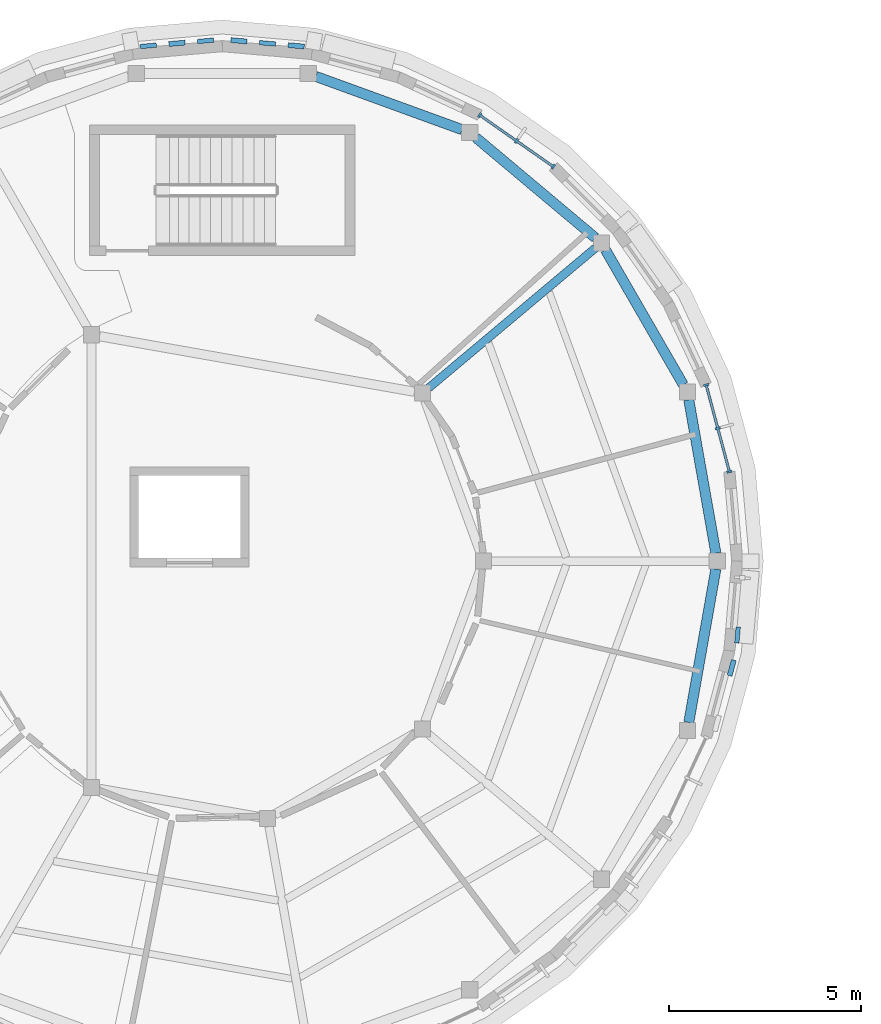
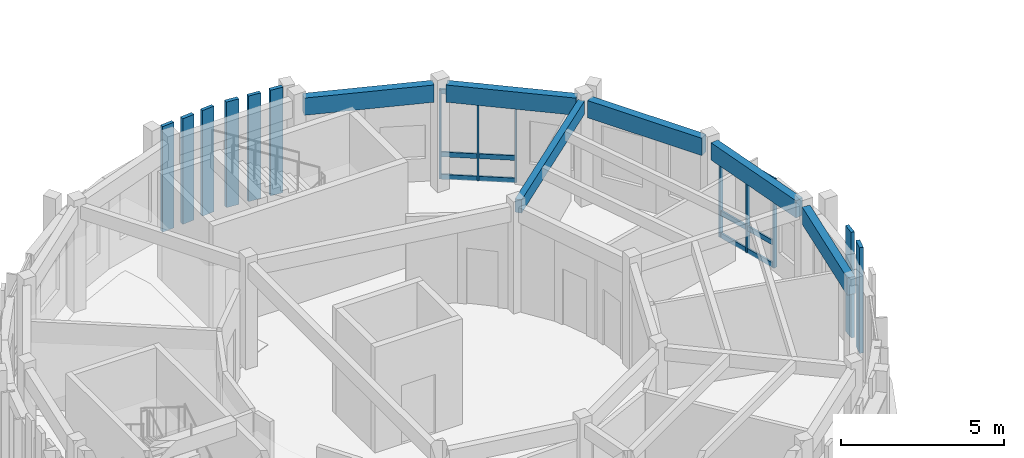
# One storey, part 21 of 80: 20 members, 6 beams, 2 elements without a shape of their own.
"""IFC4 building model written with IfcOpenShell, lengths in metres."""

from ifc_helpers import new_model, si_unit, direction, frame, origin, origin_2d, place, context, subcontext, project, spatial, rectangle, extrude, material, layer, layer_set, material_profile, profile_set, type_object, element, aggregate, save


model = new_model("IFC4")

# Units and contexts
model_context = context("Model", 3, precision=1e-05, world=origin(), true_north=direction((0.0, 1.0)))
body_context = subcontext(model_context, "Body", "Model", "MODEL_VIEW")
ifc_project = project(units=[si_unit("LENGTHUNIT", "METRE"), si_unit("AREAUNIT", "SQUARE_METRE"), si_unit("VOLUMEUNIT", "CUBIC_METRE"), si_unit("PLANEANGLEUNIT", "RADIAN"), si_unit("MASSUNIT", "GRAM", prefix="KILO")], contexts=[model_context])

# Site, building, storey
site_placement = place(None, origin())
site = spatial("IfcSite", under=ifc_project, at=site_placement, CompositionType="ELEMENT")
building_placement = place(site_placement, origin())
building = spatial("IfcBuilding", under=site, at=building_placement, Name="Aldenvaro Health Centre", CompositionType="ELEMENT")
storey_placement = place(building_placement, frame((0.0, 0.0, 4.550048828125)))
storey = spatial("IfcBuildingStorey", under=building, at=storey_placement, Name="L01", CompositionType="ELEMENT", Elevation=4.550048828125)

# Beams
ifc_material_1 = material(Name="Glulam GL28h", Category="wood")
ifc_material_profile_1 = material_profile(ifc_material_1, rectangle(XDim=0.215087890625, YDim=0.493896484375, at=origin_2d()), Name="GL 215x494", Category="wood")
ifc_profile_set_1 = profile_set([ifc_material_profile_1], Name="Glulam GL28h")
beam_type_1 = type_object("IfcBeamType", Name="BM-GL-494", PredefinedType="BEAM", material=ifc_profile_set_1)
beam_1_placement = place(storey_placement, frame((23.8701171875, 104.006103515625, 3.7080078125), z_axis=(0.76607437865, 0.642751932222, 0.0), x_axis=(-0.642751932222, 0.76607437865, 0.0)))
element("IfcBeam", 1, at=beam_1_placement, inside=storey, type_object=beam_type_1, Name="D4 L01 radial beam 02", PredefinedType="BEAM", context=body_context, shape_type="SweptSolid", body=[
    extrude(rectangle(XDim=0.215087890625, YDim=0.493896484375, at=origin_2d()), origin(), (0.0, 0.0, 1.0), 5.659912109375),
])
ifc_material_profile_2 = material_profile(ifc_material_1, rectangle(XDim=0.264892578125, YDim=0.64599609375, at=origin_2d()), Name="GL 265x646", Category="wood")
ifc_profile_set_2 = profile_set([ifc_material_profile_2], Name="Glulam GL28h")
beam_type_2 = type_object("IfcBeamType", Name="BM-GL-646", PredefinedType="SPANDREL", material=ifc_profile_set_2)
for number, where, z_axis, x_axis, name in (
    (2, (31.343994140625, 99.70703125, 3.6318359375), (-0.173974340087, 0.984750186083, 0.0), (-0.984750186083, -0.173974340087, 0.0), "D4 L01 perimeter spandrel 01"),
    (3, (30.498046875, 104.0869140625, 3.6318359375), (-0.499929300108, 0.866066218539, 0.0), (-0.866066218539, -0.499929300108, 0.0), "D4 L01 perimeter spandrel 02"),
):
    element("IfcBeam", number, at=place(storey_placement, frame(where, z_axis=z_axis, x_axis=x_axis)), inside=storey, type_object=beam_type_2, Name=name, PredefinedType="SPANDREL", context=body_context, shape_type="SweptSolid", body=[
        extrude(rectangle(XDim=0.264892578125, YDim=0.64599609375, at=origin_2d()), origin(), (0.0, 0.0, 1.0), 4.052734375),
    ])
beam_2_placement = place(storey_placement, frame((28.2060546875, 107.9140625, 3.6318359375), z_axis=(-0.766093948171, 0.642728607248, 0.0), x_axis=(-0.642728607248, -0.766093948171, 0.0)))
element("IfcBeam", 4, at=beam_2_placement, inside=storey, type_object=beam_type_2, Name="D4 L01 perimeter spandrel 03", PredefinedType="SPANDREL", context=body_context, shape_type="SweptSolid", body=[
    extrude(rectangle(XDim=0.264892578125, YDim=0.64599609375, at=origin_2d()), origin(), (0.0, 0.0, 1.0), 4.052978515625),
])
beam_3_placement = place(storey_placement, frame((24.742919921875, 110.72607421875, 3.6318359375), z_axis=(-0.939717777656, 0.341951017483, 0.0), x_axis=(-0.341951017483, -0.939717777656, 0.0)))
element("IfcBeam", 5, at=beam_3_placement, inside=storey, type_object=beam_type_2, Name="D4 L01 perimeter spandrel 04", PredefinedType="SPANDREL", context=body_context, shape_type="SweptSolid", body=[
    extrude(rectangle(XDim=0.264892578125, YDim=0.64599609375, at=origin_2d()), origin(), (0.0, 0.0, 1.0), 4.05322265625),
])
beam_4_placement = place(storey_placement, frame((30.638916015625, 95.302001953125, 3.6318359375), z_axis=(0.173974340087, 0.984750186083, 0.0), x_axis=(-0.984750186083, 0.173974340087, 0.0)))
element("IfcBeam", 6, at=beam_4_placement, inside=storey, type_object=beam_type_2, Name="D4 L01 perimeter spandrel 18", PredefinedType="SPANDREL", context=body_context, shape_type="SweptSolid", body=[
    extrude(rectangle(XDim=0.264892578125, YDim=0.64599609375, at=origin_2d()), origin(), (0.0, 0.0, 1.0), 4.052734375),
])

# Curtain wall, members
ifc_material_2 = material(Name="Anodised Aluminium 6063-T6", Category="aluminium")
ifc_layer = layer(ifc_material_2, 0.195068359375, Name="Anodised Aluminium 6063-T6", Category="aluminium")
ifc_layer_set = layer_set([ifc_layer], Name="Anodised Aluminium 6063-T6")
curtain_wall_type = type_object("IfcCurtainWallType", Name="CW-CLN-02", PredefinedType="NOTDEFINED", material=ifc_layer_set)
curtain_wall_1_placement = place(storey_placement, origin())
curtain_wall_1 = element("IfcCurtainWall", 7, at=curtain_wall_1_placement, inside=storey, type_object=curtain_wall_type, Name="D4 L01 curtain wall bay 31", PredefinedType="NOTDEFINED")
ifc_material_profile_3 = material_profile(ifc_material_2, rectangle(XDim=0.06005859375, YDim=0.135009765625, at=origin_2d()), Name="ALU 60x135", Category="aluminium")
ifc_profile_set_3 = profile_set([ifc_material_profile_3], Name="Anodised Aluminium 6063-T6")
member_type_1 = type_object("IfcMemberType", Name="CWM-150", PredefinedType="MULLION", material=ifc_profile_set_3)
member_1_placement = place(storey_placement, frame((25.199951171875, 111.10498046875, 0.0), z_axis=(0.0, 0.0, 1.0), x_axis=(0.819050849853, -0.573720929857, 0.0)))
member_1 = element("IfcMember", 8, at=member_1_placement, type_object=member_type_1, Name="D4 L01 curtain wall bay 31 mullion 1", PredefinedType="MULLION", context=body_context, shape_type="SweptSolid", body=[
    extrude(rectangle(XDim=0.06005859375, YDim=0.135009765625, at=origin_2d()), origin(), (0.0, 0.0, 1.0), 3.308837890625),
])
member_2_placement = place(storey_placement, frame((26.156982421875, 110.43505859375, 0.0), z_axis=(0.0, 0.0, 1.0), x_axis=(0.819050849853, -0.573720929857, 0.0)))
member_2 = element("IfcMember", 9, at=member_2_placement, type_object=member_type_1, Name="D4 L01 curtain wall bay 31 mullion 2", PredefinedType="MULLION", context=body_context, shape_type="SweptSolid", body=[
    extrude(rectangle(XDim=0.06005859375, YDim=0.135009765625, at=origin_2d()), origin(), (0.0, 0.0, 1.0), 3.308837890625),
])
member_3_placement = place(storey_placement, frame((27.113037109375, 109.764892578125, 0.0), z_axis=(0.0, 0.0, 1.0), x_axis=(0.819050849853, -0.573720929857, 0.0)))
member_3 = element("IfcMember", 10, at=member_3_placement, type_object=member_type_1, Name="D4 L01 curtain wall bay 31 mullion 3", PredefinedType="MULLION", context=body_context, shape_type="SweptSolid", body=[
    extrude(rectangle(XDim=0.06005859375, YDim=0.135009765625, at=origin_2d()), origin(), (0.0, 0.0, 1.0), 3.308837890625),
])

curtain_wall_2_placement = place(storey_placement, origin())
curtain_wall_2 = element("IfcCurtainWall", 11, at=curtain_wall_2_placement, inside=storey, type_object=curtain_wall_type, Name="D4 L01 curtain wall bay 35", PredefinedType="NOTDEFINED")
member_4_placement = place(storey_placement, frame((31.092041015625, 104.0830078125, 0.0), z_axis=(0.0, 0.0, 1.0), x_axis=(0.258621935517, -0.965978620089, 0.0)))
member_4 = element("IfcMember", 12, at=member_4_placement, type_object=member_type_1, Name="D4 L01 curtain wall bay 35 mullion 1", PredefinedType="MULLION", context=body_context, shape_type="SweptSolid", body=[
    extrude(rectangle(XDim=0.06005859375, YDim=0.135009765625, at=origin_2d()), origin(), (0.0, 0.0, 1.0), 3.308837890625),
])
member_5_placement = place(storey_placement, frame((31.39404296875, 102.955078125, 0.0), z_axis=(0.0, 0.0, 1.0), x_axis=(0.258621935517, -0.965978620089, 0.0)))
member_5 = element("IfcMember", 13, at=member_5_placement, type_object=member_type_1, Name="D4 L01 curtain wall bay 35 mullion 2", PredefinedType="MULLION", context=body_context, shape_type="SweptSolid", body=[
    extrude(rectangle(XDim=0.06005859375, YDim=0.135009765625, at=origin_2d()), origin(), (0.0, 0.0, 1.0), 3.308837890625),
])
member_6_placement = place(storey_placement, frame((31.696044921875, 101.826904296875, 0.0), z_axis=(0.0, 0.0, 1.0), x_axis=(0.258621935517, -0.965978620089, 0.0)))
member_6 = element("IfcMember", 14, at=member_6_placement, type_object=member_type_1, Name="D4 L01 curtain wall bay 35 mullion 3", PredefinedType="MULLION", context=body_context, shape_type="SweptSolid", body=[
    extrude(rectangle(XDim=0.06005859375, YDim=0.135009765625, at=origin_2d()), origin(), (0.0, 0.0, 1.0), 3.308837890625),
])

# Member
ifc_material_profile_4 = material_profile(ifc_material_2, rectangle(XDim=0.06494140625, YDim=0.179931640625, at=origin_2d()), Name="ALU 65x180", Category="aluminium")
ifc_profile_set_4 = profile_set([ifc_material_profile_4], Name="Anodised Aluminium 6063-T6")
member_type_2 = type_object("IfcMemberType", Name="CWT-150", PredefinedType="USERDEFINED", material=ifc_profile_set_4)
member_7_placement = place(storey_placement, frame((25.199951171875, 111.10498046875, 0.06005859375), z_axis=(0.819045278347, -0.573728883722, 0.0), x_axis=(0.573728883722, 0.819045278347, 0.0)))
member_7 = element("IfcMember", 15, at=member_7_placement, type_object=member_type_2, Name="D4 L01 curtain wall bay 31 transom 1", ObjectType="TRANSOM", PredefinedType="USERDEFINED", context=body_context, shape_type="SweptSolid", body=[
    extrude(rectangle(XDim=0.06494140625, YDim=0.179931640625, at=origin_2d()), origin(), (0.0, 0.0, 1.0), 2.335693359375),
])

member_8_placement = place(storey_placement, frame((25.199951171875, 111.10498046875, 0.89990234375), z_axis=(0.819045278347, -0.573728883722, 0.0), x_axis=(0.573728883722, 0.819045278347, 0.0)))
member_8 = element("IfcMember", 16, at=member_8_placement, type_object=member_type_2, Name="D4 L01 curtain wall bay 31 transom 2", ObjectType="TRANSOM", PredefinedType="USERDEFINED", context=body_context, shape_type="SweptSolid", body=[
    extrude(rectangle(XDim=0.06494140625, YDim=0.179931640625, at=origin_2d()), origin(), (0.0, 0.0, 1.0), 2.335693359375),
])

member_9_placement = place(storey_placement, frame((25.199951171875, 111.10498046875, 3.2490234375), z_axis=(0.819045278347, -0.573728883722, 0.0), x_axis=(0.573728883722, 0.819045278347, 0.0)))
member_9 = element("IfcMember", 17, at=member_9_placement, type_object=member_type_2, Name="D4 L01 curtain wall bay 31 transom 3", ObjectType="TRANSOM", PredefinedType="USERDEFINED", context=body_context, shape_type="SweptSolid", body=[
    extrude(rectangle(XDim=0.06494140625, YDim=0.179931640625, at=origin_2d()), origin(), (0.0, 0.0, 1.0), 2.335693359375),
])

aggregate(curtain_wall_1, [member_1, member_2, member_3, member_7, member_8, member_9])

member_10_placement = place(storey_placement, frame((31.092041015625, 104.0830078125, 0.06005859375), z_axis=(0.258612423585, -0.965981166673, 0.0), x_axis=(0.965981166673, 0.258612423585, 0.0)))
member_10 = element("IfcMember", 18, at=member_10_placement, type_object=member_type_2, Name="D4 L01 curtain wall bay 35 transom 1", ObjectType="TRANSOM", PredefinedType="USERDEFINED", context=body_context, shape_type="SweptSolid", body=[
    extrude(rectangle(XDim=0.06494140625, YDim=0.179931640625, at=origin_2d()), origin(), (0.0, 0.0, 1.0), 2.33544921875),
])

member_11_placement = place(storey_placement, frame((31.092041015625, 104.0830078125, 0.89990234375), z_axis=(0.258612423585, -0.965981166673, 0.0), x_axis=(0.965981166673, 0.258612423585, 0.0)))
member_11 = element("IfcMember", 19, at=member_11_placement, type_object=member_type_2, Name="D4 L01 curtain wall bay 35 transom 2", ObjectType="TRANSOM", PredefinedType="USERDEFINED", context=body_context, shape_type="SweptSolid", body=[
    extrude(rectangle(XDim=0.06494140625, YDim=0.179931640625, at=origin_2d()), origin(), (0.0, 0.0, 1.0), 2.33544921875),
])

member_12_placement = place(storey_placement, frame((31.092041015625, 104.0830078125, 3.2490234375), z_axis=(0.258612423585, -0.965981166673, 0.0), x_axis=(0.965981166673, 0.258612423585, 0.0)))
member_12 = element("IfcMember", 20, at=member_12_placement, type_object=member_type_2, Name="D4 L01 curtain wall bay 35 transom 3", ObjectType="TRANSOM", PredefinedType="USERDEFINED", context=body_context, shape_type="SweptSolid", body=[
    extrude(rectangle(XDim=0.06494140625, YDim=0.179931640625, at=origin_2d()), origin(), (0.0, 0.0, 1.0), 2.33544921875),
])

aggregate(curtain_wall_2, [member_4, member_5, member_6, member_10, member_11, member_12])

# Members
ifc_material_profile_5 = material_profile(ifc_material_1, rectangle(XDim=0.114990234375, YDim=0.419921875, at=origin_2d()), Name="GL 115x420", Category="wood")
ifc_profile_set_5 = profile_set([ifc_material_profile_5], Name="Glulam GL28h")
member_type_3 = type_object("IfcMemberType", Name="MEM-SLT-420A", PredefinedType="POST", material=ifc_profile_set_5)
for number, where, z_axis, x_axis, name in (
    (21, (31.906982421875, 97.575927734375, 0.0), (0.0, 0.0, 1.0), (0.996179299052, -0.087331575855, 0.0), "D4 L01 vertical timber slat 1.3"),
    (22, (16.575927734375, 112.906982421875, 0.0), (0.0, 0.0, 1.0), (-0.087331575855, 0.996179299052, 0.0), "D4 L01 vertical timber slat 27.1"),
    (23, (18.06591796875, 113.0380859375, 0.0), (0.0, 0.0, 1.0), (-0.087331575855, 0.996179299052, 0.0), "D4 L01 vertical timber slat 27.3"),
    (24, (19.678955078125, 112.971923828125, 0.0), (0.0, 0.0, 1.0), (0.087331575855, 0.996179299052, 0.0), "D4 L01 vertical timber slat 28.2"),
):
    element("IfcMember", number, at=place(storey_placement, frame(where, z_axis=z_axis, x_axis=x_axis)), inside=storey, type_object=member_type_3, Name=name, PredefinedType="POST", context=body_context, shape_type="SweptSolid", body=[
        extrude(rectangle(XDim=0.114990234375, YDim=0.419921875, at=origin_2d()), origin(), (0.0, 0.0, 1.0), 3.954833984375),
    ])
ifc_material_profile_6 = material_profile(ifc_material_1, rectangle(XDim=0.1298828125, YDim=0.419921875, at=origin_2d()), Name="GL 130x420", Category="wood")
ifc_profile_set_6 = profile_set([ifc_material_profile_6], Name="Glulam GL28h")
member_type_4 = type_object("IfcMemberType", Name="MEM-SLT-420B", PredefinedType="POST", material=ifc_profile_set_6)
for number, where, z_axis, x_axis, name in (
    (25, (31.756103515625, 96.721923828125, 0.0), (0.0, 0.0, 1.0), (0.965978620089, -0.258621935517, 0.0), "D4 L01 vertical timber slat 2.1"),
    (26, (17.321044921875, 112.971923828125, 0.0), (0.0, 0.0, 1.0), (-0.087331575855, 0.996179299052, 0.0), "D4 L01 vertical timber slat 27.2"),
    (27, (18.93408203125, 113.0380859375, 0.0), (0.0, 0.0, 1.0), (0.087331575855, 0.996179299052, 0.0), "D4 L01 vertical timber slat 28.1"),
    (28, (20.424072265625, 112.906982421875, 0.0), (0.0, 0.0, 1.0), (0.087331575855, 0.996179299052, 0.0), "D4 L01 vertical timber slat 28.3"),
):
    element("IfcMember", number, at=place(storey_placement, frame(where, z_axis=z_axis, x_axis=x_axis)), inside=storey, type_object=member_type_4, Name=name, PredefinedType="POST", context=body_context, shape_type="SweptSolid", body=[
        extrude(rectangle(XDim=0.1298828125, YDim=0.419921875, at=origin_2d()), origin(), (0.0, 0.0, 1.0), 3.954833984375),
    ])

save(model, "model.ifc")
